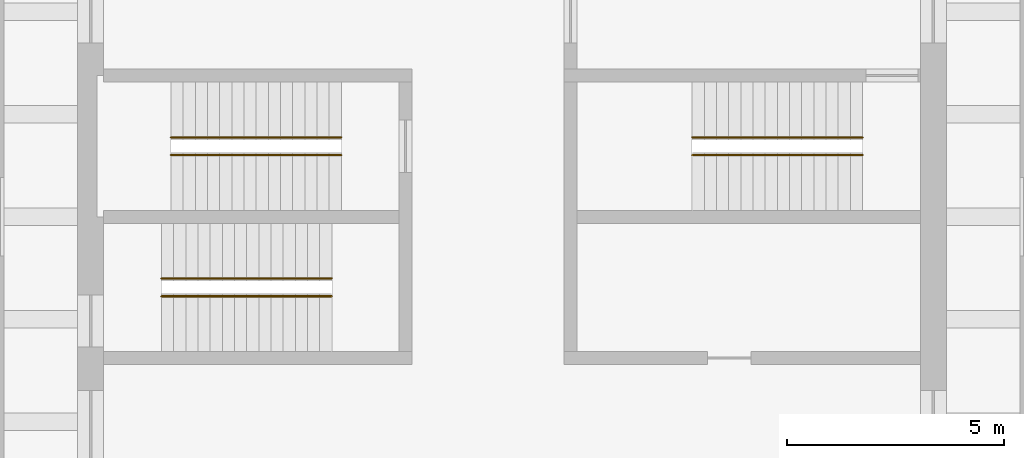
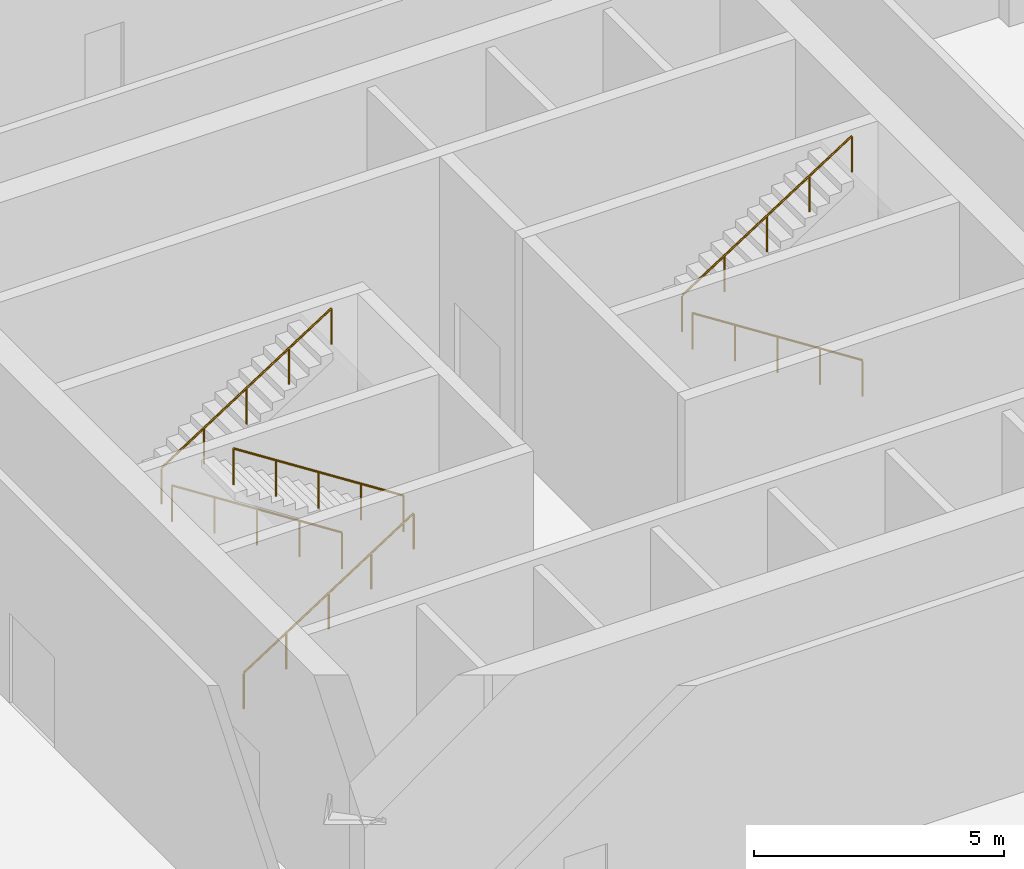
# One storey, part 8 of 9: 6 railings.
"""IFC4 building model written with IfcOpenShell, lengths in metres."""

import ifcopenshell
import ifcopenshell.guid

model = None  # the IFC model being written
_history = None  # IfcOwnerHistory: only IFC2X3 demands one
_inside = {}  # id of a spatial element -> (the spatial element, [elements in it])
_under = {}  # id of a project, library or spatial element -> (it, [spatial elements below it])
_declared = {}  # id of a project -> (the project, [libraries it declares])
_typed = {}  # id of a type object -> (the type object, [elements of that type])
_made_of = {}  # id of a material, layer set ... -> (it, [elements and type objects made of it])


def new_model(schema):
    """Start an empty IFC model of exactly this schema.

    Asked for "IFC4X3", IfcOpenShell would pick the latest addendum, in which some entities
    have other attributes; the version numbers below select the first issue.
    IFC2X3 requires an IfcOwnerHistory on every rooted entity: one is made here for all.
    """
    global model, _history
    if schema == "IFC4X3":
        model = ifcopenshell.file(schema_version=(4, 3, 0, 0))
    else:
        model = ifcopenshell.file(schema=schema)
    _inside.clear()
    _under.clear()
    _declared.clear()
    _typed.clear()
    _made_of.clear()
    _history = None
    if model.schema == "IFC2X3":
        org = make("IfcOrganization", Name="unknown")
        user = make(
            "IfcPersonAndOrganization",
            ThePerson=make("IfcPerson", FamilyName="unknown"),
            TheOrganization=org,
        )
        app = make(
            "IfcApplication",
            ApplicationDeveloper=org,
            Version="unknown",
            ApplicationFullName="unknown",
            ApplicationIdentifier="unknown",
        )
        _history = make(
            "IfcOwnerHistory",
            OwningUser=user,
            OwningApplication=app,
            ChangeAction="ADDED",
            CreationDate=0,
        )
    return model


def make(cls, **values):
    """One entity of the class cls with the attributes given. An attribute that is None is left unset."""
    return model.create_entity(
        cls, **{name: value for name, value in values.items() if value is not None}
    )


def rooted(cls, **values):
    """An entity with a GlobalId (a new one), such as an element, a storey or a relation."""
    return make(cls, GlobalId=ifcopenshell.guid.new(), OwnerHistory=_history, **values)


def si_unit(unit_type, name, prefix=None):
    """IfcSIUnit, for example si_unit("LENGTHUNIT", "METRE", prefix="MILLI")."""
    return make("IfcSIUnit", UnitType=unit_type, Prefix=prefix, Name=name)


def assignment(units):
    """IfcUnitAssignment: the units of a project."""
    return None if units is None else make("IfcUnitAssignment", Units=units)


def point(xyz):
    """IfcCartesianPoint."""
    return None if xyz is None else make("IfcCartesianPoint", Coordinates=xyz)


def direction(xyz):
    """IfcDirection."""
    return None if xyz is None else make("IfcDirection", DirectionRatios=xyz)


def frame(location, z_axis=None, x_axis=None):
    """IfcAxis2Placement3D, a coordinate frame: its origin and axes. An axis left out is left unset."""
    return make(
        "IfcAxis2Placement3D",
        Location=point(location),
        Axis=direction(z_axis),
        RefDirection=direction(x_axis),
    )


def frame_2d(location, x_axis=None):
    """IfcAxis2Placement2D, a coordinate frame in the plane: its origin and x axis."""
    return make(
        "IfcAxis2Placement2D", Location=point(location), RefDirection=direction(x_axis)
    )


def origin():
    """The frame at (0, 0, 0) with its axes left unset."""
    return frame((0.0, 0.0, 0.0))


def origin_2d():
    """The frame at (0, 0) in the plane with its x axis left unset."""
    return frame_2d((0.0, 0.0))


def place(relative_to, where):
    """IfcLocalPlacement: puts the frame where relative to a parent placement (None: the world)."""
    return make(
        "IfcLocalPlacement", PlacementRelTo=relative_to, RelativePlacement=where
    )


def context(
    kind, dimensions, precision=None, world=None, true_north=None, identifier=None
):
    """IfcGeometricRepresentationContext, for example the 3D "Model" context."""
    return make(
        "IfcGeometricRepresentationContext",
        ContextIdentifier=identifier,
        ContextType=kind,
        CoordinateSpaceDimension=dimensions,
        Precision=precision,
        WorldCoordinateSystem=world,
        TrueNorth=true_north,
    )


def subcontext(parent, identifier, kind, view, scale=None):
    """IfcGeometricRepresentationSubContext, for example "Body" below "Model"."""
    return make(
        "IfcGeometricRepresentationSubContext",
        ContextIdentifier=identifier,
        ContextType=kind,
        ParentContext=parent,
        TargetScale=scale,
        TargetView=view,
    )


def project(units=None, contexts=None):
    """IfcProject with its units and contexts."""
    return rooted(
        "IfcProject",
        Name="project",
        RepresentationContexts=contexts,
        UnitsInContext=assignment(units),
    )


def spatial(cls, under=None, at=None, **own):
    """A site, building, storey or space (cls), placed at a placement, below another one or the project."""
    s = rooted(cls, ObjectPlacement=at, **own)
    if under is not None:
        _under.setdefault(under.id(), (under, []))[1].append(s)
    return s


def profile(cls, at=None, kind="AREA", **sizes):
    """A parametric profile (cls). Its sizes go by their IFC names, for example OverallWidth=200.0."""
    return make(cls, ProfileType=kind, Position=at, **sizes)


def circle(**sizes):
    """IfcCircleProfileDef."""
    return profile("IfcCircleProfileDef", **sizes)


def extrude(swept, where, along, depth):
    """IfcExtrudedAreaSolid: the profile swept, set in the frame where, extruded along a direction by depth."""
    return make(
        "IfcExtrudedAreaSolid",
        SweptArea=swept,
        Position=where,
        ExtrudedDirection=direction(along),
        Depth=depth,
    )


def shape(context_of_items, identifier, shape_type, items):
    """IfcShapeRepresentation: the items that make up one representation, for example the "Body"."""
    return make(
        "IfcShapeRepresentation",
        ContextOfItems=context_of_items,
        RepresentationIdentifier=identifier,
        RepresentationType=shape_type,
        Items=items,
    )


def material(Name=None, Category=None):
    """IfcMaterial."""
    return make("IfcMaterial", Name=Name, Category=Category)


def made_of(thing, what):
    """Note that an element or type object is made of a material, layer set ...; save() writes the relation."""
    if what is not None:
        _made_of.setdefault(what.id(), (what, []))[1].append(thing)
    return thing


def type_object(cls, material=None, **own):
    """A type object (cls), such as IfcWallType, which elements share."""
    return made_of(rooted(cls, **own), material)


def element(
    cls,
    number,
    at=None,
    inside=None,
    cuts=None,
    type_object=None,
    material=None,
    context=None,
    identifier="Body",
    shape_type=None,
    held_by="IfcProductDefinitionShape",
    body=None,
    shapes=None,
    **own,
):
    """One element of the class cls, such as IfcWall. Its Tag is "e" and its number.

    at: its placement. inside: the storey or other place that contains it. cuts: it is an
    opening in that element (IfcRelVoidsElement). A single representation is given by context,
    identifier, shape_type and body (its items); several are given by shapes. held_by: the class
    of the entity that holds the representations. save() writes the other relations.
    """
    e = rooted(cls, Tag="e%d" % number, ObjectPlacement=at, **own)
    if body is not None:
        shapes = [shape(context, identifier, shape_type, body)]
    if shapes is not None:
        e.Representation = make(held_by, Representations=shapes)
    if inside is not None:
        _inside.setdefault(inside.id(), (inside, []))[1].append(e)
    if cuts is not None:
        rooted(
            "IfcRelVoidsElement", RelatingBuildingElement=cuts, RelatedOpeningElement=e
        )
    if type_object is not None:
        _typed.setdefault(type_object.id(), (type_object, []))[1].append(e)
    return made_of(e, material)


def aggregate(whole, parts):
    """IfcRelAggregates: a whole, such as a stair, and the parts it consists of."""
    return rooted("IfcRelAggregates", RelatingObject=whole, RelatedObjects=parts)


def save(model, path):
    """Write the relations noted so far, then the file.

    IfcRelAggregates (storeys below a building ...), IfcRelContainedInSpatialStructure (elements
    in a storey), IfcRelDefinesByType, IfcRelAssociatesMaterial and IfcRelDeclares: one each for
    every whole, place, type object, material and project.
    """
    for whole, parts in _under.values():
        aggregate(whole, parts)
    for where, things in _inside.values():
        rooted(
            "IfcRelContainedInSpatialStructure",
            RelatedElements=things,
            RelatingStructure=where,
        )
    for kind, things in _typed.values():
        rooted("IfcRelDefinesByType", RelatedObjects=things, RelatingType=kind)
    for what, things in _made_of.values():
        rooted("IfcRelAssociatesMaterial", RelatedObjects=things, RelatingMaterial=what)
    for by, libraries in _declared.values():
        rooted("IfcRelDeclares", RelatingContext=by, RelatedDefinitions=libraries)
    model.write(path)


model = new_model("IFC4")

# Units and contexts
model_context = context("Model", 3, precision=1e-05, world=origin(), true_north=direction((0.0, 1.0)))
body_context = subcontext(model_context, "Body", "Model", "MODEL_VIEW")
ifc_project = project(units=[si_unit("LENGTHUNIT", "METRE"), si_unit("AREAUNIT", "SQUARE_METRE"), si_unit("VOLUMEUNIT", "CUBIC_METRE"), si_unit("PLANEANGLEUNIT", "RADIAN"), si_unit("MASSUNIT", "GRAM", prefix="KILO")], contexts=[model_context])

# Site, building, storey
site_placement = place(None, origin())
site = spatial("IfcSite", under=ifc_project, at=site_placement, CompositionType="ELEMENT")
building_placement = place(site_placement, origin())
building = spatial("IfcBuilding", under=site, at=building_placement, Name="Turquesa Mirador Hotel Tower", CompositionType="ELEMENT")
storey_placement = place(building_placement, frame((0.0, 0.0, 221.300048828125)))
storey = spatial("IfcBuildingStorey", under=building, at=storey_placement, Name="L60", CompositionType="ELEMENT", Elevation=221.300048828125)

# Railings
ifc_material = material(Name="Painted steel handrail", Category="steel")
railing_type = type_object("IfcRailingType", Name="HANDRAIL 900 STEEL", PredefinedType="HANDRAIL", material=ifc_material)
railing_1_placement = place(storey_placement, frame((51.070068359375, 46.419921875, 0.179931640625)))
element("IfcRailing", 1, at=railing_1_placement, inside=storey, type_object=railing_type, Name="Handrail ST1", PredefinedType="HANDRAIL", context=body_context, shape_type="SweptSolid", body=[
    extrude(circle(Radius=0.02392578125, at=origin_2d()), frame((0.0, 0.0, 0.8759765625), z_axis=(-0.841186985886, 0.0, 0.540744352514), x_axis=(0.0, -1.0, 0.0)), (0.0, 0.0, 1.0), 4.660400390625),
    extrude(circle(Radius=0.02099609375, at=origin_2d()), origin(), (0.0, 0.0, 1.0), 0.851806640625),
    extrude(circle(Radius=0.02099609375, at=origin_2d()), frame((-0.97998046875, 0.0, 0.6298828125)), (0.0, 0.0, 1.0), 0.851806640625),
    extrude(circle(Radius=0.02099609375, at=origin_2d()), frame((-1.9599609375, 0.0, 1.260009765625)), (0.0, 0.0, 1.0), 0.851806640625),
    extrude(circle(Radius=0.02099609375, at=origin_2d()), frame((-2.940185546875, 0.0, 1.89013671875)), (0.0, 0.0, 1.0), 0.851806640625),
    extrude(circle(Radius=0.02099609375, at=origin_2d()), frame((-3.920166015625, 0.0, 2.52001953125)), (0.0, 0.0, 1.0), 0.851806640625),
])
for number, where, name in (
    (2, (47.14990234375, 46.830078125, 2.8798828125), "Handrail ST1"),
    (3, (46.929931640625, 43.169921875, 0.179931640625), "Handrail ST2"),
):
    element("IfcRailing", number, at=place(storey_placement, frame(where)), inside=storey, type_object=railing_type, Name=name, PredefinedType="HANDRAIL", context=body_context, shape_type="SweptSolid", body=[
        extrude(circle(Radius=0.02392578125, at=origin_2d()), frame((0.0, 0.0, 0.8759765625), z_axis=(0.841186985886, 0.0, 0.540744352514), x_axis=(0.0, 1.0, 0.0)), (0.0, 0.0, 1.0), 4.660400390625),
        extrude(circle(Radius=0.02099609375, at=origin_2d()), origin(), (0.0, 0.0, 1.0), 0.851806640625),
        extrude(circle(Radius=0.02099609375, at=origin_2d()), frame((0.97998046875, 0.0, 0.6298828125)), (0.0, 0.0, 1.0), 0.851806640625),
        extrude(circle(Radius=0.02099609375, at=origin_2d()), frame((1.9599609375, 0.0, 1.260009765625)), (0.0, 0.0, 1.0), 0.851806640625),
        extrude(circle(Radius=0.02099609375, at=origin_2d()), frame((2.940185546875, 0.0, 1.89013671875)), (0.0, 0.0, 1.0), 0.851806640625),
        extrude(circle(Radius=0.02099609375, at=origin_2d()), frame((3.920166015625, 0.0, 2.52001953125)), (0.0, 0.0, 1.0), 0.851806640625),
    ])
for number, where, name in (
    (4, (50.85009765625, 43.580078125, 2.8798828125), "Handrail ST2"),
    (5, (63.070068359375, 46.419921875, 0.179931640625), "Handrail ST3"),
):
    element("IfcRailing", number, at=place(storey_placement, frame(where)), inside=storey, type_object=railing_type, Name=name, PredefinedType="HANDRAIL", context=body_context, shape_type="SweptSolid", body=[
        extrude(circle(Radius=0.02392578125, at=origin_2d()), frame((0.0, 0.0, 0.8759765625), z_axis=(-0.841186985886, 0.0, 0.540744352514), x_axis=(0.0, -1.0, 0.0)), (0.0, 0.0, 1.0), 4.660400390625),
        extrude(circle(Radius=0.02099609375, at=origin_2d()), origin(), (0.0, 0.0, 1.0), 0.851806640625),
        extrude(circle(Radius=0.02099609375, at=origin_2d()), frame((-0.97998046875, 0.0, 0.6298828125)), (0.0, 0.0, 1.0), 0.851806640625),
        extrude(circle(Radius=0.02099609375, at=origin_2d()), frame((-1.9599609375, 0.0, 1.260009765625)), (0.0, 0.0, 1.0), 0.851806640625),
        extrude(circle(Radius=0.02099609375, at=origin_2d()), frame((-2.940185546875, 0.0, 1.89013671875)), (0.0, 0.0, 1.0), 0.851806640625),
        extrude(circle(Radius=0.02099609375, at=origin_2d()), frame((-3.920166015625, 0.0, 2.52001953125)), (0.0, 0.0, 1.0), 0.851806640625),
    ])
railing_2_placement = place(storey_placement, frame((59.14990234375, 46.830078125, 2.8798828125)))
element("IfcRailing", 6, at=railing_2_placement, inside=storey, type_object=railing_type, Name="Handrail ST3", PredefinedType="HANDRAIL", context=body_context, shape_type="SweptSolid", body=[
    extrude(circle(Radius=0.02392578125, at=origin_2d()), frame((0.0, 0.0, 0.8759765625), z_axis=(0.841186985886, 0.0, 0.540744352514), x_axis=(0.0, 1.0, 0.0)), (0.0, 0.0, 1.0), 4.660400390625),
    extrude(circle(Radius=0.02099609375, at=origin_2d()), origin(), (0.0, 0.0, 1.0), 0.851806640625),
    extrude(circle(Radius=0.02099609375, at=origin_2d()), frame((0.97998046875, 0.0, 0.6298828125)), (0.0, 0.0, 1.0), 0.851806640625),
    extrude(circle(Radius=0.02099609375, at=origin_2d()), frame((1.9599609375, 0.0, 1.260009765625)), (0.0, 0.0, 1.0), 0.851806640625),
    extrude(circle(Radius=0.02099609375, at=origin_2d()), frame((2.940185546875, 0.0, 1.89013671875)), (0.0, 0.0, 1.0), 0.851806640625),
    extrude(circle(Radius=0.02099609375, at=origin_2d()), frame((3.920166015625, 0.0, 2.52001953125)), (0.0, 0.0, 1.0), 0.851806640625),
])

save(model, "model.ifc")
